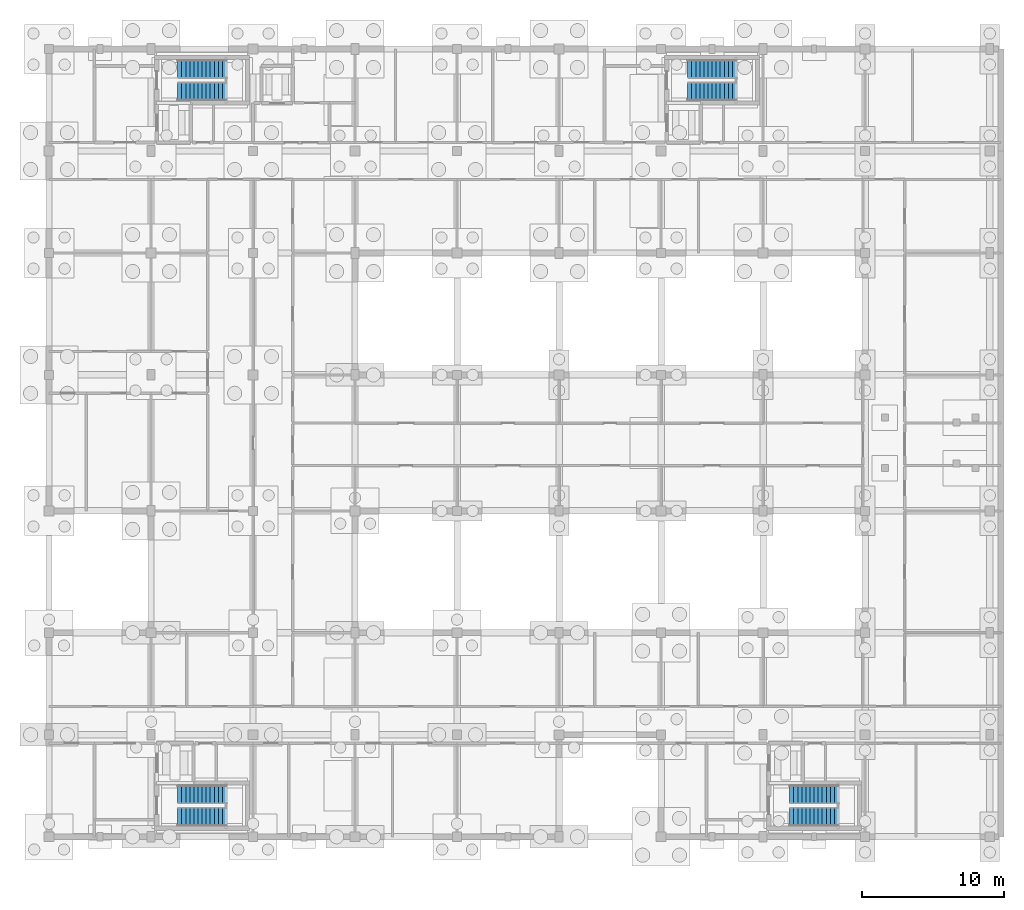
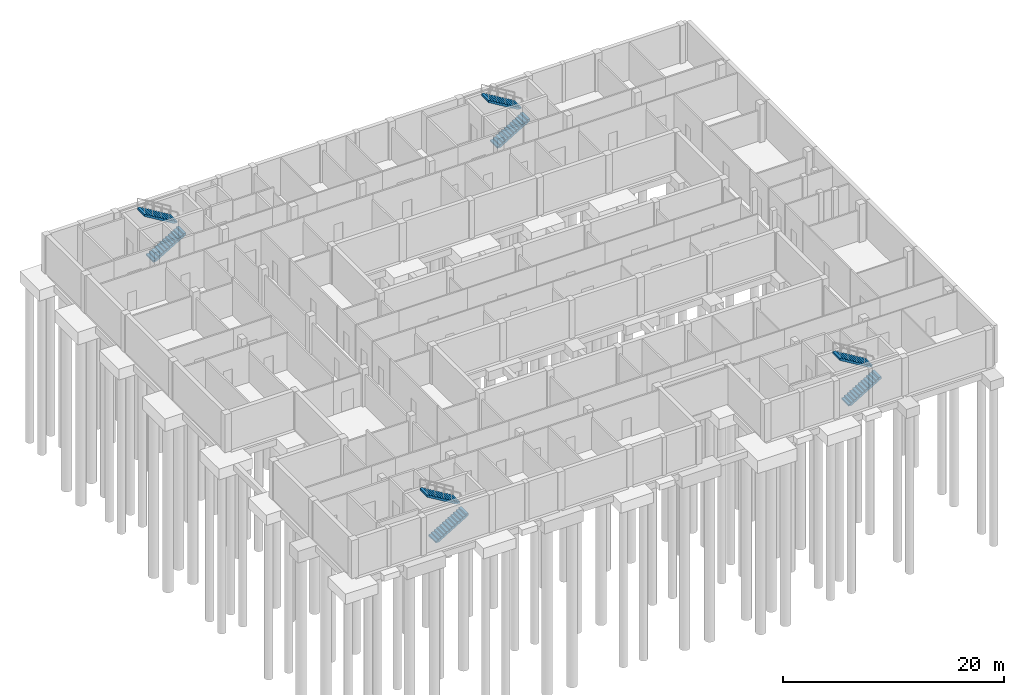
# One storey, part 15 of 17: 8 stair flights, 4 elements without a shape of their own.
"""IFC4 building model written with IfcOpenShell, lengths in metres."""

from ifc_helpers import new_model, si_unit, direction, frame, origin, place, context, subcontext, project, spatial, polyline, outline, extrude, material, type_object, element, aggregate, save


model = new_model("IFC4")

# Units and contexts
model_context = context("Model", 3, precision=1e-05, world=origin(), true_north=direction((0.0, 1.0)))
body_context = subcontext(model_context, "Body", "Model", "MODEL_VIEW")
ifc_project = project(units=[si_unit("LENGTHUNIT", "METRE"), si_unit("AREAUNIT", "SQUARE_METRE"), si_unit("VOLUMEUNIT", "CUBIC_METRE"), si_unit("PLANEANGLEUNIT", "RADIAN"), si_unit("MASSUNIT", "GRAM", prefix="KILO")], contexts=[model_context])

# Site, building, storey
site_placement = place(None, origin())
site = spatial("IfcSite", under=ifc_project, at=site_placement, CompositionType="ELEMENT")
building_placement = place(site_placement, origin())
building = spatial("IfcBuilding", under=site, at=building_placement, Name="Hawrajan Terrace Health Centre", CompositionType="ELEMENT")
storey_placement = place(building_placement, frame((0.0, 0.0, -4.5)))
storey = spatial("IfcBuildingStorey", under=building, at=storey_placement, Name="B1", CompositionType="ELEMENT", Elevation=-4.5)

# Stair, stair flights
ifc_material = material(Name="Concrete C40/50", Category="concrete")
stair_type = type_object("IfcStairType", Name="Stair_4500_W1300", PredefinedType="HALF_TURN_STAIR", material=ifc_material)
stair_1_placement = place(storey_placement, origin())
stair_1 = element("IfcStair", 1, at=stair_1_placement, inside=storey, type_object=stair_type, Name="Stair ST-1-B1", PredefinedType="HALF_TURN_STAIR")
stair_flight_type = type_object("IfcStairFlightType", Name="StairFlight_4500_W1300", PredefinedType="STRAIGHT", material=ifc_material)
stair_flight_1_placement = place(storey_placement, frame((13.675048828125, 56.81005859375, 0.0), z_axis=(0.0, 0.0, 1.0), x_axis=(1.0, 0.0, 0.0)))
stair_flight_1 = element("IfcStairFlight", 2, at=stair_flight_1_placement, type_object=stair_flight_type, Name="Stair flight ST-1-B1-F1", NumberOfRisers=13, NumberOfTreads=12, PredefinedType="STRAIGHT", RiserHeight=0.173077, TreadLength=0.2875, context=body_context, shape_type="SweptSolid", body=[
    extrude(outline(polyline([(0.0, 0.0), (0.0, 0.173095703125), (0.28759765625, 0.173095703125), (0.28759765625, 0.34619140625), (0.574951171875, 0.34619140625), (0.574951171875, 0.519287109375), (0.862548828125, 0.519287109375), (0.862548828125, 0.6923828125), (1.14990234375, 0.6923828125), (1.14990234375, 0.865478515625), (1.4375, 0.865478515625), (1.4375, 1.03857421875), (1.72509765625, 1.03857421875), (1.72509765625, 1.21142578125), (2.012451171875, 1.21142578125), (2.012451171875, 1.384521484375), (2.300048828125, 1.384521484375), (2.300048828125, 1.5576171875), (2.58740234375, 1.5576171875), (2.58740234375, 1.730712890625), (2.875, 1.730712890625), (2.875, 1.90380859375), (3.16259765625, 1.90380859375), (3.16259765625, 2.076904296875), (3.449951171875, 2.076904296875), (3.449951171875, 2.25), (3.449951171875, 1.866943359375), (0.348876953125, 0.0), (0.0, 0.0)])), frame((0.0, 0.64990234375, 0.0), z_axis=(0.0, -1.0, 0.0), x_axis=(1.0, 0.0, 0.0)), (0.0, 0.0, 1.0), 1.300048828125),
])
stair_flight_2_placement = place(storey_placement, frame((17.125, 58.389892578125, 2.25), z_axis=(0.0, 0.0, 1.0), x_axis=(-1.0, 0.0, 0.0)))
stair_flight_2 = element("IfcStairFlight", 3, at=stair_flight_2_placement, type_object=stair_flight_type, Name="Stair flight ST-1-B1-F2", NumberOfRisers=13, NumberOfTreads=12, PredefinedType="STRAIGHT", RiserHeight=0.173077, TreadLength=0.2875, context=body_context, shape_type="SweptSolid", body=[
    extrude(outline(polyline([(0.0, 0.0), (0.0, 0.173095703125), (0.28759765625, 0.173095703125), (0.28759765625, 0.34619140625), (0.574951171875, 0.34619140625), (0.574951171875, 0.519287109375), (0.862548828125, 0.519287109375), (0.862548828125, 0.6923828125), (1.14990234375, 0.6923828125), (1.14990234375, 0.865478515625), (1.4375, 0.865478515625), (1.4375, 1.03857421875), (1.72509765625, 1.03857421875), (1.72509765625, 1.21142578125), (2.012451171875, 1.21142578125), (2.012451171875, 1.384521484375), (2.300048828125, 1.384521484375), (2.300048828125, 1.5576171875), (2.58740234375, 1.5576171875), (2.58740234375, 1.730712890625), (2.875, 1.730712890625), (2.875, 1.90380859375), (3.16259765625, 1.90380859375), (3.16259765625, 2.076904296875), (3.449951171875, 2.076904296875), (3.449951171875, 2.25), (3.449951171875, 1.866943359375), (0.348876953125, 0.0), (0.0, 0.0)])), frame((0.0, 0.64990234375, 0.0), z_axis=(0.0, -1.0, 0.0), x_axis=(1.0, 0.0, 0.0)), (0.0, 0.0, 1.0), 1.300048828125),
])
aggregate(stair_1, [stair_flight_1, stair_flight_2])

stair_2_placement = place(storey_placement, origin())
stair_2 = element("IfcStair", 4, at=stair_2_placement, inside=storey, type_object=stair_type, Name="Stair ST-2-B1", PredefinedType="HALF_TURN_STAIR")
stair_flight_3_placement = place(storey_placement, frame((49.675048828125, 56.81005859375, 0.0), z_axis=(0.0, 0.0, 1.0), x_axis=(1.0, 0.0, 0.0)))
stair_flight_3 = element("IfcStairFlight", 5, at=stair_flight_3_placement, type_object=stair_flight_type, Name="Stair flight ST-2-B1-F1", NumberOfRisers=13, NumberOfTreads=12, PredefinedType="STRAIGHT", RiserHeight=0.173077, TreadLength=0.2875, context=body_context, shape_type="SweptSolid", body=[
    extrude(outline(polyline([(0.0, 0.0), (0.0, 0.173095703125), (0.28759765625, 0.173095703125), (0.28759765625, 0.34619140625), (0.574951171875, 0.34619140625), (0.574951171875, 0.519287109375), (0.862548828125, 0.519287109375), (0.862548828125, 0.6923828125), (1.14990234375, 0.6923828125), (1.14990234375, 0.865478515625), (1.4375, 0.865478515625), (1.4375, 1.03857421875), (1.72509765625, 1.03857421875), (1.72509765625, 1.21142578125), (2.012451171875, 1.21142578125), (2.012451171875, 1.384521484375), (2.300048828125, 1.384521484375), (2.300048828125, 1.5576171875), (2.58740234375, 1.5576171875), (2.58740234375, 1.730712890625), (2.875, 1.730712890625), (2.875, 1.90380859375), (3.16259765625, 1.90380859375), (3.16259765625, 2.076904296875), (3.449951171875, 2.076904296875), (3.449951171875, 2.25), (3.449951171875, 1.866943359375), (0.348876953125, 0.0), (0.0, 0.0)])), frame((0.0, 0.64990234375, 0.0), z_axis=(0.0, -1.0, 0.0), x_axis=(1.0, 0.0, 0.0)), (0.0, 0.0, 1.0), 1.300048828125),
])
stair_flight_4_placement = place(storey_placement, frame((53.125, 58.389892578125, 2.25), z_axis=(0.0, 0.0, 1.0), x_axis=(-1.0, 0.0, 0.0)))
stair_flight_4 = element("IfcStairFlight", 6, at=stair_flight_4_placement, type_object=stair_flight_type, Name="Stair flight ST-2-B1-F2", NumberOfRisers=13, NumberOfTreads=12, PredefinedType="STRAIGHT", RiserHeight=0.173077, TreadLength=0.2875, context=body_context, shape_type="SweptSolid", body=[
    extrude(outline(polyline([(0.0, 0.0), (0.0, 0.173095703125), (0.28759765625, 0.173095703125), (0.28759765625, 0.34619140625), (0.574951171875, 0.34619140625), (0.574951171875, 0.519287109375), (0.862548828125, 0.519287109375), (0.862548828125, 0.6923828125), (1.14990234375, 0.6923828125), (1.14990234375, 0.865478515625), (1.4375, 0.865478515625), (1.4375, 1.03857421875), (1.72509765625, 1.03857421875), (1.72509765625, 1.21142578125), (2.012451171875, 1.21142578125), (2.012451171875, 1.384521484375), (2.300048828125, 1.384521484375), (2.300048828125, 1.5576171875), (2.58740234375, 1.5576171875), (2.58740234375, 1.730712890625), (2.875, 1.730712890625), (2.875, 1.90380859375), (3.16259765625, 1.90380859375), (3.16259765625, 2.076904296875), (3.449951171875, 2.076904296875), (3.449951171875, 2.25), (3.449951171875, 1.866943359375), (0.348876953125, 0.0), (0.0, 0.0)])), frame((0.0, 0.64990234375, 0.0), z_axis=(0.0, -1.0, 0.0), x_axis=(1.0, 0.0, 0.0)), (0.0, 0.0, 1.0), 1.300048828125),
])
aggregate(stair_2, [stair_flight_3, stair_flight_4])

stair_3_placement = place(storey_placement, origin())
stair_3 = element("IfcStair", 7, at=stair_3_placement, inside=storey, type_object=stair_type, Name="Stair ST-3-B1", PredefinedType="HALF_TURN_STAIR")
stair_flight_5_placement = place(storey_placement, frame((13.675048828125, 5.610107421875, 0.0), z_axis=(0.0, 0.0, 1.0), x_axis=(1.0, 0.0, 0.0)))
stair_flight_5 = element("IfcStairFlight", 8, at=stair_flight_5_placement, type_object=stair_flight_type, Name="Stair flight ST-3-B1-F1", NumberOfRisers=13, NumberOfTreads=12, PredefinedType="STRAIGHT", RiserHeight=0.173077, TreadLength=0.2875, context=body_context, shape_type="SweptSolid", body=[
    extrude(outline(polyline([(0.0, 0.0), (0.0, 0.173095703125), (0.28759765625, 0.173095703125), (0.28759765625, 0.34619140625), (0.574951171875, 0.34619140625), (0.574951171875, 0.519287109375), (0.862548828125, 0.519287109375), (0.862548828125, 0.6923828125), (1.14990234375, 0.6923828125), (1.14990234375, 0.865478515625), (1.4375, 0.865478515625), (1.4375, 1.03857421875), (1.72509765625, 1.03857421875), (1.72509765625, 1.21142578125), (2.012451171875, 1.21142578125), (2.012451171875, 1.384521484375), (2.300048828125, 1.384521484375), (2.300048828125, 1.5576171875), (2.58740234375, 1.5576171875), (2.58740234375, 1.730712890625), (2.875, 1.730712890625), (2.875, 1.90380859375), (3.16259765625, 1.90380859375), (3.16259765625, 2.076904296875), (3.449951171875, 2.076904296875), (3.449951171875, 2.25), (3.449951171875, 1.866943359375), (0.348876953125, 0.0), (0.0, 0.0)])), frame((0.0, 0.64990234375, 0.0), z_axis=(0.0, -1.0, 0.0), x_axis=(1.0, 0.0, 0.0)), (0.0, 0.0, 1.0), 1.300048828125),
])
stair_flight_6_placement = place(storey_placement, frame((17.125, 7.18994140625, 2.25), z_axis=(0.0, 0.0, 1.0), x_axis=(-1.0, 0.0, 0.0)))
stair_flight_6 = element("IfcStairFlight", 9, at=stair_flight_6_placement, type_object=stair_flight_type, Name="Stair flight ST-3-B1-F2", NumberOfRisers=13, NumberOfTreads=12, PredefinedType="STRAIGHT", RiserHeight=0.173077, TreadLength=0.2875, context=body_context, shape_type="SweptSolid", body=[
    extrude(outline(polyline([(0.0, 0.0), (0.0, 0.173095703125), (0.28759765625, 0.173095703125), (0.28759765625, 0.34619140625), (0.574951171875, 0.34619140625), (0.574951171875, 0.519287109375), (0.862548828125, 0.519287109375), (0.862548828125, 0.6923828125), (1.14990234375, 0.6923828125), (1.14990234375, 0.865478515625), (1.4375, 0.865478515625), (1.4375, 1.03857421875), (1.72509765625, 1.03857421875), (1.72509765625, 1.21142578125), (2.012451171875, 1.21142578125), (2.012451171875, 1.384521484375), (2.300048828125, 1.384521484375), (2.300048828125, 1.5576171875), (2.58740234375, 1.5576171875), (2.58740234375, 1.730712890625), (2.875, 1.730712890625), (2.875, 1.90380859375), (3.16259765625, 1.90380859375), (3.16259765625, 2.076904296875), (3.449951171875, 2.076904296875), (3.449951171875, 2.25), (3.449951171875, 1.866943359375), (0.348876953125, 0.0), (0.0, 0.0)])), frame((0.0, 0.64990234375, 0.0), z_axis=(0.0, -1.0, 0.0), x_axis=(1.0, 0.0, 0.0)), (0.0, 0.0, 1.0), 1.300048828125),
])
aggregate(stair_3, [stair_flight_5, stair_flight_6])

stair_4_placement = place(storey_placement, origin())
stair_4 = element("IfcStair", 10, at=stair_4_placement, inside=storey, type_object=stair_type, Name="Stair ST-4-B1", PredefinedType="HALF_TURN_STAIR")
stair_flight_7_placement = place(storey_placement, frame((56.875, 5.610107421875, 0.0), z_axis=(0.0, 0.0, 1.0), x_axis=(1.0, 0.0, 0.0)))
stair_flight_7 = element("IfcStairFlight", 11, at=stair_flight_7_placement, type_object=stair_flight_type, Name="Stair flight ST-4-B1-F1", NumberOfRisers=13, NumberOfTreads=12, PredefinedType="STRAIGHT", RiserHeight=0.173077, TreadLength=0.2875, context=body_context, shape_type="SweptSolid", body=[
    extrude(outline(polyline([(0.0, 0.0), (0.0, 0.173095703125), (0.28759765625, 0.173095703125), (0.28759765625, 0.34619140625), (0.574951171875, 0.34619140625), (0.574951171875, 0.519287109375), (0.862548828125, 0.519287109375), (0.862548828125, 0.6923828125), (1.14990234375, 0.6923828125), (1.14990234375, 0.865478515625), (1.4375, 0.865478515625), (1.4375, 1.03857421875), (1.72509765625, 1.03857421875), (1.72509765625, 1.21142578125), (2.012451171875, 1.21142578125), (2.012451171875, 1.384521484375), (2.300048828125, 1.384521484375), (2.300048828125, 1.5576171875), (2.58740234375, 1.5576171875), (2.58740234375, 1.730712890625), (2.875, 1.730712890625), (2.875, 1.90380859375), (3.16259765625, 1.90380859375), (3.16259765625, 2.076904296875), (3.449951171875, 2.076904296875), (3.449951171875, 2.25), (3.449951171875, 1.866943359375), (0.348876953125, 0.0), (0.0, 0.0)])), frame((0.0, 0.64990234375, 0.0), z_axis=(0.0, -1.0, 0.0), x_axis=(1.0, 0.0, 0.0)), (0.0, 0.0, 1.0), 1.300048828125),
])
stair_flight_8_placement = place(storey_placement, frame((60.324951171875, 7.18994140625, 2.25), z_axis=(0.0, 0.0, 1.0), x_axis=(-1.0, 0.0, 0.0)))
stair_flight_8 = element("IfcStairFlight", 12, at=stair_flight_8_placement, type_object=stair_flight_type, Name="Stair flight ST-4-B1-F2", NumberOfRisers=13, NumberOfTreads=12, PredefinedType="STRAIGHT", RiserHeight=0.173077, TreadLength=0.2875, context=body_context, shape_type="SweptSolid", body=[
    extrude(outline(polyline([(0.0, 0.0), (0.0, 0.173095703125), (0.28759765625, 0.173095703125), (0.28759765625, 0.34619140625), (0.574951171875, 0.34619140625), (0.574951171875, 0.519287109375), (0.862548828125, 0.519287109375), (0.862548828125, 0.6923828125), (1.14990234375, 0.6923828125), (1.14990234375, 0.865478515625), (1.4375, 0.865478515625), (1.4375, 1.03857421875), (1.72509765625, 1.03857421875), (1.72509765625, 1.21142578125), (2.012451171875, 1.21142578125), (2.012451171875, 1.384521484375), (2.300048828125, 1.384521484375), (2.300048828125, 1.5576171875), (2.58740234375, 1.5576171875), (2.58740234375, 1.730712890625), (2.875, 1.730712890625), (2.875, 1.90380859375), (3.16259765625, 1.90380859375), (3.16259765625, 2.076904296875), (3.449951171875, 2.076904296875), (3.449951171875, 2.25), (3.449951171875, 1.866943359375), (0.348876953125, 0.0), (0.0, 0.0)])), frame((0.0, 0.64990234375, 0.0), z_axis=(0.0, -1.0, 0.0), x_axis=(1.0, 0.0, 0.0)), (0.0, 0.0, 1.0), 1.300048828125),
])
aggregate(stair_4, [stair_flight_7, stair_flight_8])

save(model, "model.ifc")
